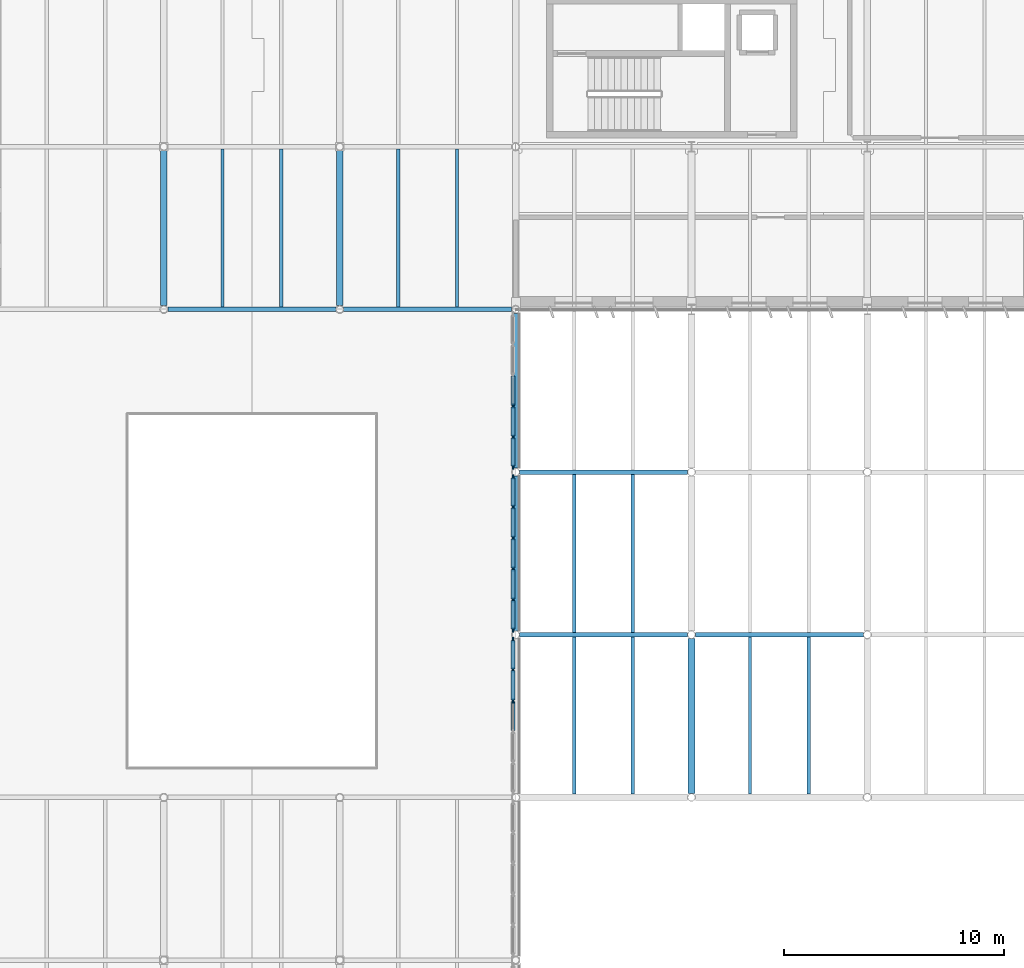
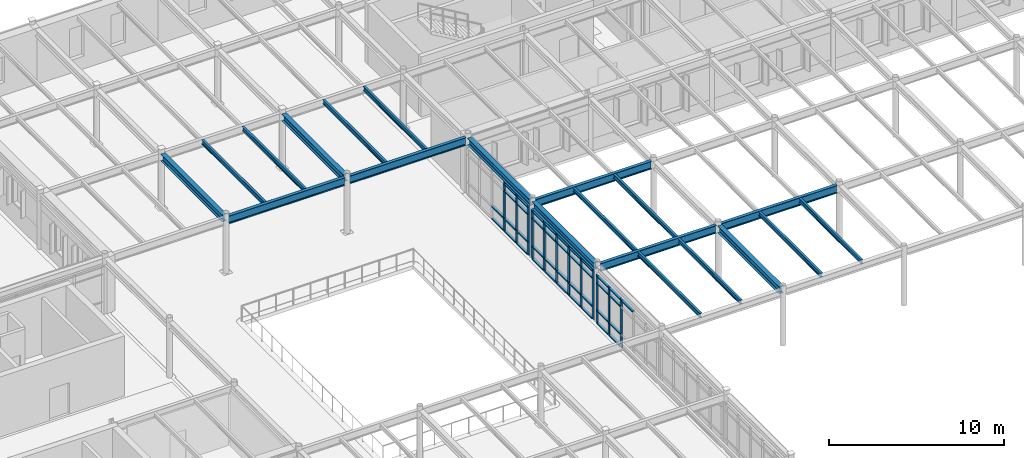
# One storey, part 23 of 63: 51 members, 20 beams, 3 elements without a shape of their own.
"""IFC4 building model written with IfcOpenShell, lengths in metres."""

from ifc_helpers import new_model, si_unit, direction, frame, origin, origin_2d, place, context, subcontext, project, spatial, rectangle, i_section, extrude, material, layer, layer_set, material_profile, profile_set, type_object, element, aggregate, save


model = new_model("IFC4")

# Units and contexts
model_context = context("Model", 3, precision=1e-05, world=origin(), true_north=direction((0.0, 1.0)))
body_context = subcontext(model_context, "Body", "Model", "MODEL_VIEW")
ifc_project = project(units=[si_unit("LENGTHUNIT", "METRE"), si_unit("AREAUNIT", "SQUARE_METRE"), si_unit("VOLUMEUNIT", "CUBIC_METRE"), si_unit("PLANEANGLEUNIT", "RADIAN"), si_unit("MASSUNIT", "GRAM", prefix="KILO")], contexts=[model_context])

# Site, building, storey
site_placement = place(None, origin())
site = spatial("IfcSite", under=ifc_project, at=site_placement, CompositionType="ELEMENT")
building_placement = place(site_placement, origin())
building = spatial("IfcBuilding", under=site, at=building_placement, Name="Valkorina Park Police Headquarters", CompositionType="ELEMENT")
storey_placement = place(building_placement, frame((0.0, 0.0, 9.89990234375)))
storey = spatial("IfcBuildingStorey", under=building, at=storey_placement, Name="L03", CompositionType="ELEMENT", Elevation=9.89990234375)

# Beams
ifc_material_1 = material(Name="Steel S355", Category="steel")
ifc_material_profile_1 = material_profile(ifc_material_1, i_section(OverallWidth=0.300048828125, OverallDepth=0.489990234375, WebThickness=0.011962890625, FlangeThickness=0.02294921875, FilletRadius=0.027099609375, at=origin_2d()), Name="HEA 500")
ifc_profile_set_1 = profile_set([ifc_material_profile_1], Name="Steel S355")
beam_type_1 = type_object("IfcBeamType", Name="BM-S355-HEA500-BM", PredefinedType="BEAM", material=ifc_profile_set_1)
for number, where, z_axis, x_axis, name in (
    (1, (64.800048828125, 59.377685546875, 3.675048828125), (0.0, 1.0, 0.0), (-1.0, 0.0, 0.0), "L03 Framing Beam 2017"),
    (2, (72.800048828125, 59.377685546875, 3.675048828125), (0.0, 1.0, 0.0), (-1.0, 0.0, 0.0), "L03 Framing Beam 2032"),
    (3, (80.800048828125, 44.577880859375, 3.710205078125), (0.0, 1.0, 0.0), (-1.0, 0.0, 0.0), "L03 Framing Beam 2046"),
    (4, (80.800048828125, 51.977783203125, 3.675048828125), (0.0, 1.0, 0.0), (-1.0, 0.0, 0.0), "L03 Framing Beam 2049"),
    (5, (88.800048828125, 37.177734375, 3.710205078125), (0.0, 1.0, 0.0), (-1.0, 0.0, 0.0), "L03 Framing Beam 2059"),
):
    element("IfcBeam", number, at=place(storey_placement, frame(where, z_axis=z_axis, x_axis=x_axis)), inside=storey, type_object=beam_type_1, Name=name, PredefinedType="BEAM", context=body_context, shape_type="SweptSolid", body=[
        extrude(i_section(OverallWidth=0.300048828125, OverallDepth=0.489990234375, WebThickness=0.011962890625, FlangeThickness=0.02294921875, FilletRadius=0.027099609375, at=origin_2d()), origin(), (0.0, 0.0, 1.0), 7.04443359375),
    ])
ifc_material_profile_2 = material_profile(ifc_material_1, i_section(OverallWidth=0.14990234375, OverallDepth=0.300048828125, WebThickness=0.007080078125, FlangeThickness=0.0107421875, FilletRadius=0.014892578125, at=origin_2d()), Name="IPE 300")
ifc_profile_set_2 = profile_set([ifc_material_profile_2], Name="Steel S355")
beam_type_2 = type_object("IfcBeamType", Name="BM-S355-IPE300-JST", PredefinedType="JOIST", material=ifc_profile_set_2)
for number, where, z_axis, x_axis, name in (
    (6, (67.466796875, 59.304931640625, 3.77001953125), (0.0, 1.0, 0.0), (-1.0, 0.0, 0.0), "L03 Framing Beam 2018"),
    (7, (70.13330078125, 59.304931640625, 3.77001953125), (0.0, 1.0, 0.0), (-1.0, 0.0, 0.0), "L03 Framing Beam 2019"),
    (8, (75.466796875, 59.304931640625, 3.77001953125), (0.0, 1.0, 0.0), (-1.0, 0.0, 0.0), "L03 Framing Beam 2033"),
    (9, (78.13330078125, 59.304931640625, 3.77001953125), (0.0, 1.0, 0.0), (-1.0, 0.0, 0.0), "L03 Framing Beam 2034"),
):
    element("IfcBeam", number, at=place(storey_placement, frame(where, z_axis=z_axis, x_axis=x_axis)), inside=storey, type_object=beam_type_2, Name=name, PredefinedType="JOIST", context=body_context, shape_type="SweptSolid", body=[
        extrude(i_section(OverallWidth=0.14990234375, OverallDepth=0.300048828125, WebThickness=0.007080078125, FlangeThickness=0.0107421875, FilletRadius=0.014892578125, at=origin_2d()), origin(), (0.0, 0.0, 1.0), 7.190185546875),
    ])
for number, where, z_axis, x_axis, name in (
    (10, (83.466796875, 37.14990234375, 3.80517578125), (0.0, 1.0, 0.0), (-1.0, 0.0, 0.0), "L03 Framing Beam 2044"),
    (11, (86.13330078125, 37.14990234375, 3.80517578125), (0.0, 1.0, 0.0), (-1.0, 0.0, 0.0), "L03 Framing Beam 2045"),
):
    element("IfcBeam", number, at=place(storey_placement, frame(where, z_axis=z_axis, x_axis=x_axis)), inside=storey, type_object=beam_type_2, Name=name, PredefinedType="JOIST", context=body_context, shape_type="SweptSolid", body=[
        extrude(i_section(OverallWidth=0.14990234375, OverallDepth=0.300048828125, WebThickness=0.007080078125, FlangeThickness=0.0107421875, FilletRadius=0.014892578125, at=origin_2d()), origin(), (0.0, 0.0, 1.0), 7.14501953125),
    ])
for number, where, z_axis, x_axis, name in (
    (12, (83.466796875, 44.5048828125, 3.80517578125), (0.0, 1.0, 0.0), (-1.0, 0.0, 0.0), "L03 Framing Beam 2047"),
    (13, (86.13330078125, 44.5048828125, 3.80517578125), (0.0, 1.0, 0.0), (-1.0, 0.0, 0.0), "L03 Framing Beam 2048"),
):
    element("IfcBeam", number, at=place(storey_placement, frame(where, z_axis=z_axis, x_axis=x_axis)), inside=storey, type_object=beam_type_2, Name=name, PredefinedType="JOIST", context=body_context, shape_type="SweptSolid", body=[
        extrude(i_section(OverallWidth=0.14990234375, OverallDepth=0.300048828125, WebThickness=0.007080078125, FlangeThickness=0.0107421875, FilletRadius=0.014892578125, at=origin_2d()), origin(), (0.0, 0.0, 1.0), 7.190185546875),
    ])
for number, where, z_axis, x_axis, name in (
    (14, (91.466796875, 37.14990234375, 3.80517578125), (0.0, 1.0, 0.0), (-1.0, 0.0, 0.0), "L03 Framing Beam 2060"),
    (15, (94.13330078125, 37.14990234375, 3.80517578125), (0.0, 1.0, 0.0), (-1.0, 0.0, 0.0), "L03 Framing Beam 2061"),
):
    element("IfcBeam", number, at=place(storey_placement, frame(where, z_axis=z_axis, x_axis=x_axis)), inside=storey, type_object=beam_type_2, Name=name, PredefinedType="JOIST", context=body_context, shape_type="SweptSolid", body=[
        extrude(i_section(OverallWidth=0.14990234375, OverallDepth=0.300048828125, WebThickness=0.007080078125, FlangeThickness=0.0107421875, FilletRadius=0.014892578125, at=origin_2d()), origin(), (0.0, 0.0, 1.0), 7.14501953125),
    ])
ifc_material_profile_3 = material_profile(ifc_material_1, i_section(OverallWidth=0.2099609375, OverallDepth=0.550048828125, WebThickness=0.010986328125, FlangeThickness=0.01708984375, FilletRadius=0.02392578125, at=origin_2d()), Name="IPE 550")
ifc_profile_set_3 = profile_set([ifc_material_profile_3], Name="Steel S355")
beam_type_3 = type_object("IfcBeamType", Name="BM-S355-IPE550-BM", PredefinedType="BEAM", material=ifc_profile_set_3)
for number, where, z_axis, x_axis, name in (
    (16, (80.977783203125, 44.39990234375, 3.68017578125), (1.0, 0.0, 0.0), (0.0, 1.0, 0.0), "L03 Framing Beam 1877"),
    (17, (88.977783203125, 44.39990234375, 3.68017578125), (1.0, 0.0, 0.0), (0.0, 1.0, 0.0), "L03 Framing Beam 1878"),
    (18, (80.977783203125, 51.800048828125, 3.68017578125), (1.0, 0.0, 0.0), (0.0, 1.0, 0.0), "L03 Framing Beam 1889"),
    (19, (64.977783203125, 59.199951171875, 3.64501953125), (1.0, 0.0, 0.0), (0.0, 1.0, 0.0), "L03 Framing Beam 1905"),
    (20, (72.977783203125, 59.199951171875, 3.64501953125), (1.0, 0.0, 0.0), (0.0, 1.0, 0.0), "L03 Framing Beam 1906"),
):
    element("IfcBeam", number, at=place(storey_placement, frame(where, z_axis=z_axis, x_axis=x_axis)), inside=storey, type_object=beam_type_3, Name=name, PredefinedType="BEAM", context=body_context, shape_type="SweptSolid", body=[
        extrude(i_section(OverallWidth=0.2099609375, OverallDepth=0.550048828125, WebThickness=0.010986328125, FlangeThickness=0.01708984375, FilletRadius=0.02392578125, at=origin_2d()), origin(), (0.0, 0.0, 1.0), 7.64453125),
    ])

# Curtain wall, members
ifc_material_2 = material(Name="Thermally broken aluminium AW-6060", Category="aluminium")
ifc_layer_1 = layer(ifc_material_2, 0.18994140625)
ifc_layer_set_1 = layer_set([ifc_layer_1], Name="Thermally broken aluminium AW-6060")
curtain_wall_type_1 = type_object("IfcCurtainWallType", Name="CW-V4-7020x3360", PredefinedType="NOTDEFINED", material=ifc_layer_set_1)
curtain_wall_1_placement = place(storey_placement, origin())
curtain_wall_1 = element("IfcCurtainWall", 21, at=curtain_wall_1_placement, inside=storey, type_object=curtain_wall_type_1, Name="L03 Unitised Curtain Wall 020", PredefinedType="NOTDEFINED")
ifc_material_profile_4 = material_profile(ifc_material_2, rectangle(XDim=0.080078125, YDim=0.219970703125, at=origin_2d()), Name="CWM-03 80x220")
ifc_profile_set_4 = profile_set([ifc_material_profile_4], Name="Thermally broken aluminium AW-6060")
member_type_1 = type_object("IfcMemberType", Name="CWM-80x220", PredefinedType="MULLION", material=ifc_profile_set_4)
member_1_placement = place(storey_placement, frame((80.679931640625, 54.797607421875, 0.0), z_axis=(0.0, 0.0, 1.0), x_axis=(1.0, 0.0, 0.0)))
member_1 = element("IfcMember", 22, at=member_1_placement, type_object=member_type_1, Name="CW-V4-702-336 mullion 4", PredefinedType="MULLION", context=body_context, shape_type="SweptSolid", body=[
    extrude(rectangle(XDim=0.080078125, YDim=0.219970703125, at=origin_2d()), origin(), (0.0, 0.0, 1.0), 3.360107421875),
])
member_2_placement = place(storey_placement, frame((80.679931640625, 53.392578125, 0.0), z_axis=(0.0, 0.0, 1.0), x_axis=(1.0, 0.0, 0.0)))
member_2 = element("IfcMember", 23, at=member_2_placement, type_object=member_type_1, Name="CW-V4-702-336 mullion 5", PredefinedType="MULLION", context=body_context, shape_type="SweptSolid", body=[
    extrude(rectangle(XDim=0.080078125, YDim=0.219970703125, at=origin_2d()), origin(), (0.0, 0.0, 1.0), 3.360107421875),
])
member_3_placement = place(storey_placement, frame((80.679931640625, 52.02783203125, 0.0), z_axis=(0.0, 0.0, 1.0), x_axis=(1.0, 0.0, 0.0)))
member_3 = element("IfcMember", 24, at=member_3_placement, type_object=member_type_1, Name="CW-V4-702-336 mullion 6", PredefinedType="MULLION", context=body_context, shape_type="SweptSolid", body=[
    extrude(rectangle(XDim=0.080078125, YDim=0.219970703125, at=origin_2d()), origin(), (0.0, 0.0, 1.0), 3.360107421875),
])

ifc_layer_2 = layer(ifc_material_2, 0.18994140625)
ifc_layer_set_2 = layer_set([ifc_layer_2], Name="Thermally broken aluminium AW-6060")
curtain_wall_type_2 = type_object("IfcCurtainWallType", Name="CW-V4-7020x3400", PredefinedType="NOTDEFINED", material=ifc_layer_set_2)
curtain_wall_2_placement = place(storey_placement, origin())
curtain_wall_2 = element("IfcCurtainWall", 25, at=curtain_wall_2_placement, inside=storey, type_object=curtain_wall_type_2, Name="L03 Unitised Curtain Wall 021", PredefinedType="NOTDEFINED")
member_4_placement = place(storey_placement, frame((80.679931640625, 51.572265625, 0.0), z_axis=(0.0, 0.0, 1.0), x_axis=(1.0, 0.0, 0.0)))
member_4 = element("IfcMember", 26, at=member_4_placement, type_object=member_type_1, Name="CW-V4-702-340 mullion 1", PredefinedType="MULLION", context=body_context, shape_type="SweptSolid", body=[
    extrude(rectangle(XDim=0.080078125, YDim=0.219970703125, at=origin_2d()), origin(), (0.0, 0.0, 1.0), 3.39501953125),
])
member_5_placement = place(storey_placement, frame((80.679931640625, 50.207275390625, 0.0), z_axis=(0.0, 0.0, 1.0), x_axis=(1.0, 0.0, 0.0)))
member_5 = element("IfcMember", 27, at=member_5_placement, type_object=member_type_1, Name="CW-V4-702-340 mullion 2", PredefinedType="MULLION", context=body_context, shape_type="SweptSolid", body=[
    extrude(rectangle(XDim=0.080078125, YDim=0.219970703125, at=origin_2d()), origin(), (0.0, 0.0, 1.0), 3.39501953125),
])
member_6_placement = place(storey_placement, frame((80.679931640625, 48.802490234375, 0.0), z_axis=(0.0, 0.0, 1.0), x_axis=(1.0, 0.0, 0.0)))
member_6 = element("IfcMember", 28, at=member_6_placement, type_object=member_type_1, Name="CW-V4-702-340 mullion 3", PredefinedType="MULLION", context=body_context, shape_type="SweptSolid", body=[
    extrude(rectangle(XDim=0.080078125, YDim=0.219970703125, at=origin_2d()), origin(), (0.0, 0.0, 1.0), 3.39501953125),
])
member_7_placement = place(storey_placement, frame((80.679931640625, 47.3974609375, 0.0), z_axis=(0.0, 0.0, 1.0), x_axis=(1.0, 0.0, 0.0)))
member_7 = element("IfcMember", 29, at=member_7_placement, type_object=member_type_1, Name="CW-V4-702-340 mullion 4", PredefinedType="MULLION", context=body_context, shape_type="SweptSolid", body=[
    extrude(rectangle(XDim=0.080078125, YDim=0.219970703125, at=origin_2d()), origin(), (0.0, 0.0, 1.0), 3.39501953125),
])
member_8_placement = place(storey_placement, frame((80.679931640625, 45.99267578125, 0.0), z_axis=(0.0, 0.0, 1.0), x_axis=(1.0, 0.0, 0.0)))
member_8 = element("IfcMember", 30, at=member_8_placement, type_object=member_type_1, Name="CW-V4-702-340 mullion 5", PredefinedType="MULLION", context=body_context, shape_type="SweptSolid", body=[
    extrude(rectangle(XDim=0.080078125, YDim=0.219970703125, at=origin_2d()), origin(), (0.0, 0.0, 1.0), 3.39501953125),
])
member_9_placement = place(storey_placement, frame((80.679931640625, 44.627685546875, 0.0), z_axis=(0.0, 0.0, 1.0), x_axis=(1.0, 0.0, 0.0)))
member_9 = element("IfcMember", 31, at=member_9_placement, type_object=member_type_1, Name="CW-V4-702-340 mullion 6", PredefinedType="MULLION", context=body_context, shape_type="SweptSolid", body=[
    extrude(rectangle(XDim=0.080078125, YDim=0.219970703125, at=origin_2d()), origin(), (0.0, 0.0, 1.0), 3.39501953125),
])

curtain_wall_3_placement = place(storey_placement, origin())
curtain_wall_3 = element("IfcCurtainWall", 32, at=curtain_wall_3_placement, inside=storey, type_object=curtain_wall_type_1, Name="L03 Unitised Curtain Wall 022", PredefinedType="NOTDEFINED")
member_10_placement = place(storey_placement, frame((80.679931640625, 44.172119140625, 0.0), z_axis=(0.0, 0.0, 1.0), x_axis=(1.0, 0.0, 0.0)))
member_10 = element("IfcMember", 33, at=member_10_placement, type_object=member_type_1, Name="CW-V4-702-336 mullion 1", PredefinedType="MULLION", context=body_context, shape_type="SweptSolid", body=[
    extrude(rectangle(XDim=0.080078125, YDim=0.219970703125, at=origin_2d()), origin(), (0.0, 0.0, 1.0), 3.360107421875),
])
member_11_placement = place(storey_placement, frame((80.679931640625, 42.807373046875, 0.0), z_axis=(0.0, 0.0, 1.0), x_axis=(1.0, 0.0, 0.0)))
member_11 = element("IfcMember", 34, at=member_11_placement, type_object=member_type_1, Name="CW-V4-702-336 mullion 2", PredefinedType="MULLION", context=body_context, shape_type="SweptSolid", body=[
    extrude(rectangle(XDim=0.080078125, YDim=0.219970703125, at=origin_2d()), origin(), (0.0, 0.0, 1.0), 3.360107421875),
])
member_12_placement = place(storey_placement, frame((80.679931640625, 41.40234375, 0.0), z_axis=(0.0, 0.0, 1.0), x_axis=(1.0, 0.0, 0.0)))
member_12 = element("IfcMember", 35, at=member_12_placement, type_object=member_type_1, Name="CW-V4-702-336 mullion 3", PredefinedType="MULLION", context=body_context, shape_type="SweptSolid", body=[
    extrude(rectangle(XDim=0.080078125, YDim=0.219970703125, at=origin_2d()), origin(), (0.0, 0.0, 1.0), 3.360107421875),
])

# Member
ifc_material_profile_5 = material_profile(ifc_material_2, rectangle(XDim=0.179931640625, YDim=0.080078125, at=origin_2d()), Name="CWT-03 180x80")
ifc_profile_set_5 = profile_set([ifc_material_profile_5], Name="Thermally broken aluminium AW-6060")
member_type_2 = type_object("IfcMemberType", Name="CWT-180x80", PredefinedType="USERDEFINED", material=ifc_profile_set_5)
member_13_placement = place(storey_placement, frame((80.679931640625, 56.162353515625, 0.0400390625), z_axis=(0.0, -1.0, 0.0), x_axis=(1.0, 0.0, 0.0)))
member_13 = element("IfcMember", 36, at=member_13_placement, type_object=member_type_2, Name="CW-V4-702-336 transom 3.1", ObjectType="TRANSOM", PredefinedType="USERDEFINED", context=body_context, shape_type="SweptSolid", body=[
    extrude(rectangle(XDim=0.179931640625, YDim=0.080078125, at=origin_2d()), origin(), (0.0, 0.0, 1.0), 1.32470703125),
])

member_14_placement = place(storey_placement, frame((80.679931640625, 56.162353515625, 0.900146484375), z_axis=(0.0, -1.0, 0.0), x_axis=(1.0, 0.0, 0.0)))
member_14 = element("IfcMember", 37, at=member_14_placement, type_object=member_type_2, Name="CW-V4-702-336 transom 3.2", ObjectType="TRANSOM", PredefinedType="USERDEFINED", context=body_context, shape_type="SweptSolid", body=[
    extrude(rectangle(XDim=0.179931640625, YDim=0.080078125, at=origin_2d()), origin(), (0.0, 0.0, 1.0), 1.32470703125),
])

member_15_placement = place(storey_placement, frame((80.679931640625, 54.757568359375, 0.0400390625), z_axis=(0.0, -1.0, 0.0), x_axis=(1.0, 0.0, 0.0)))
member_15 = element("IfcMember", 38, at=member_15_placement, type_object=member_type_2, Name="CW-V4-702-336 transom 4.1", ObjectType="TRANSOM", PredefinedType="USERDEFINED", context=body_context, shape_type="SweptSolid", body=[
    extrude(rectangle(XDim=0.179931640625, YDim=0.080078125, at=origin_2d()), origin(), (0.0, 0.0, 1.0), 1.324951171875),
])

member_16_placement = place(storey_placement, frame((80.679931640625, 54.757568359375, 0.900146484375), z_axis=(0.0, -1.0, 0.0), x_axis=(1.0, 0.0, 0.0)))
member_16 = element("IfcMember", 39, at=member_16_placement, type_object=member_type_2, Name="CW-V4-702-336 transom 4.2", ObjectType="TRANSOM", PredefinedType="USERDEFINED", context=body_context, shape_type="SweptSolid", body=[
    extrude(rectangle(XDim=0.179931640625, YDim=0.080078125, at=origin_2d()), origin(), (0.0, 0.0, 1.0), 1.324951171875),
])

member_17_placement = place(storey_placement, frame((80.679931640625, 54.757568359375, 2.840087890625), z_axis=(0.0, -1.0, 0.0), x_axis=(1.0, 0.0, 0.0)))
member_17 = element("IfcMember", 40, at=member_17_placement, type_object=member_type_2, Name="CW-V4-702-336 transom 4.3", ObjectType="TRANSOM", PredefinedType="USERDEFINED", context=body_context, shape_type="SweptSolid", body=[
    extrude(rectangle(XDim=0.179931640625, YDim=0.080078125, at=origin_2d()), origin(), (0.0, 0.0, 1.0), 1.324951171875),
])

member_18_placement = place(storey_placement, frame((80.679931640625, 54.757568359375, 3.320068359375), z_axis=(0.0, -1.0, 0.0), x_axis=(1.0, 0.0, 0.0)))
member_18 = element("IfcMember", 41, at=member_18_placement, type_object=member_type_2, Name="CW-V4-702-336 transom 4.4", ObjectType="TRANSOM", PredefinedType="USERDEFINED", context=body_context, shape_type="SweptSolid", body=[
    extrude(rectangle(XDim=0.179931640625, YDim=0.080078125, at=origin_2d()), origin(), (0.0, 0.0, 1.0), 1.324951171875),
])

member_19_placement = place(storey_placement, frame((80.679931640625, 53.352783203125, 0.0400390625), z_axis=(0.0, -1.0, 0.0), x_axis=(1.0, 0.0, 0.0)))
member_19 = element("IfcMember", 42, at=member_19_placement, type_object=member_type_2, Name="CW-V4-702-336 transom 5.1", ObjectType="TRANSOM", PredefinedType="USERDEFINED", context=body_context, shape_type="SweptSolid", body=[
    extrude(rectangle(XDim=0.179931640625, YDim=0.080078125, at=origin_2d()), origin(), (0.0, 0.0, 1.0), 1.284912109375),
])

member_20_placement = place(storey_placement, frame((80.679931640625, 53.352783203125, 0.900146484375), z_axis=(0.0, -1.0, 0.0), x_axis=(1.0, 0.0, 0.0)))
member_20 = element("IfcMember", 43, at=member_20_placement, type_object=member_type_2, Name="CW-V4-702-336 transom 5.2", ObjectType="TRANSOM", PredefinedType="USERDEFINED", context=body_context, shape_type="SweptSolid", body=[
    extrude(rectangle(XDim=0.179931640625, YDim=0.080078125, at=origin_2d()), origin(), (0.0, 0.0, 1.0), 1.284912109375),
])

member_21_placement = place(storey_placement, frame((80.679931640625, 53.352783203125, 2.840087890625), z_axis=(0.0, -1.0, 0.0), x_axis=(1.0, 0.0, 0.0)))
member_21 = element("IfcMember", 44, at=member_21_placement, type_object=member_type_2, Name="CW-V4-702-336 transom 5.3", ObjectType="TRANSOM", PredefinedType="USERDEFINED", context=body_context, shape_type="SweptSolid", body=[
    extrude(rectangle(XDim=0.179931640625, YDim=0.080078125, at=origin_2d()), origin(), (0.0, 0.0, 1.0), 1.284912109375),
])

member_22_placement = place(storey_placement, frame((80.679931640625, 53.352783203125, 3.320068359375), z_axis=(0.0, -1.0, 0.0), x_axis=(1.0, 0.0, 0.0)))
member_22 = element("IfcMember", 45, at=member_22_placement, type_object=member_type_2, Name="CW-V4-702-336 transom 5.4", ObjectType="TRANSOM", PredefinedType="USERDEFINED", context=body_context, shape_type="SweptSolid", body=[
    extrude(rectangle(XDim=0.179931640625, YDim=0.080078125, at=origin_2d()), origin(), (0.0, 0.0, 1.0), 1.284912109375),
])

aggregate(curtain_wall_1, [member_1, member_2, member_3, member_13, member_14, member_15, member_16, member_17, member_18, member_19, member_20, member_21, member_22])

member_23_placement = place(storey_placement, frame((80.679931640625, 51.5322265625, 0.0400390625), z_axis=(0.0, -1.0, 0.0), x_axis=(1.0, 0.0, 0.0)))
member_23 = element("IfcMember", 46, at=member_23_placement, type_object=member_type_2, Name="CW-V4-702-340 transom 1.1", ObjectType="TRANSOM", PredefinedType="USERDEFINED", context=body_context, shape_type="SweptSolid", body=[
    extrude(rectangle(XDim=0.179931640625, YDim=0.080078125, at=origin_2d()), origin(), (0.0, 0.0, 1.0), 1.284912109375),
])

member_24_placement = place(storey_placement, frame((80.679931640625, 51.5322265625, 0.900146484375), z_axis=(0.0, -1.0, 0.0), x_axis=(1.0, 0.0, 0.0)))
member_24 = element("IfcMember", 47, at=member_24_placement, type_object=member_type_2, Name="CW-V4-702-340 transom 1.2", ObjectType="TRANSOM", PredefinedType="USERDEFINED", context=body_context, shape_type="SweptSolid", body=[
    extrude(rectangle(XDim=0.179931640625, YDim=0.080078125, at=origin_2d()), origin(), (0.0, 0.0, 1.0), 1.284912109375),
])

member_25_placement = place(storey_placement, frame((80.679931640625, 51.5322265625, 2.875), z_axis=(0.0, -1.0, 0.0), x_axis=(1.0, 0.0, 0.0)))
member_25 = element("IfcMember", 48, at=member_25_placement, type_object=member_type_2, Name="CW-V4-702-340 transom 1.3", ObjectType="TRANSOM", PredefinedType="USERDEFINED", context=body_context, shape_type="SweptSolid", body=[
    extrude(rectangle(XDim=0.179931640625, YDim=0.080078125, at=origin_2d()), origin(), (0.0, 0.0, 1.0), 1.284912109375),
])

member_26_placement = place(storey_placement, frame((80.679931640625, 51.5322265625, 3.35498046875), z_axis=(0.0, -1.0, 0.0), x_axis=(1.0, 0.0, 0.0)))
member_26 = element("IfcMember", 49, at=member_26_placement, type_object=member_type_2, Name="CW-V4-702-340 transom 1.4", ObjectType="TRANSOM", PredefinedType="USERDEFINED", context=body_context, shape_type="SweptSolid", body=[
    extrude(rectangle(XDim=0.179931640625, YDim=0.080078125, at=origin_2d()), origin(), (0.0, 0.0, 1.0), 1.284912109375),
])

member_27_placement = place(storey_placement, frame((80.679931640625, 50.167236328125, 0.0400390625), z_axis=(0.0, -1.0, 0.0), x_axis=(1.0, 0.0, 0.0)))
member_27 = element("IfcMember", 50, at=member_27_placement, type_object=member_type_2, Name="CW-V4-702-340 transom 2.1", ObjectType="TRANSOM", PredefinedType="USERDEFINED", context=body_context, shape_type="SweptSolid", body=[
    extrude(rectangle(XDim=0.179931640625, YDim=0.080078125, at=origin_2d()), origin(), (0.0, 0.0, 1.0), 1.32470703125),
])

member_28_placement = place(storey_placement, frame((80.679931640625, 50.167236328125, 0.900146484375), z_axis=(0.0, -1.0, 0.0), x_axis=(1.0, 0.0, 0.0)))
member_28 = element("IfcMember", 51, at=member_28_placement, type_object=member_type_2, Name="CW-V4-702-340 transom 2.2", ObjectType="TRANSOM", PredefinedType="USERDEFINED", context=body_context, shape_type="SweptSolid", body=[
    extrude(rectangle(XDim=0.179931640625, YDim=0.080078125, at=origin_2d()), origin(), (0.0, 0.0, 1.0), 1.32470703125),
])

member_29_placement = place(storey_placement, frame((80.679931640625, 50.167236328125, 2.875), z_axis=(0.0, -1.0, 0.0), x_axis=(1.0, 0.0, 0.0)))
member_29 = element("IfcMember", 52, at=member_29_placement, type_object=member_type_2, Name="CW-V4-702-340 transom 2.3", ObjectType="TRANSOM", PredefinedType="USERDEFINED", context=body_context, shape_type="SweptSolid", body=[
    extrude(rectangle(XDim=0.179931640625, YDim=0.080078125, at=origin_2d()), origin(), (0.0, 0.0, 1.0), 1.32470703125),
])

member_30_placement = place(storey_placement, frame((80.679931640625, 50.167236328125, 3.35498046875), z_axis=(0.0, -1.0, 0.0), x_axis=(1.0, 0.0, 0.0)))
member_30 = element("IfcMember", 53, at=member_30_placement, type_object=member_type_2, Name="CW-V4-702-340 transom 2.4", ObjectType="TRANSOM", PredefinedType="USERDEFINED", context=body_context, shape_type="SweptSolid", body=[
    extrude(rectangle(XDim=0.179931640625, YDim=0.080078125, at=origin_2d()), origin(), (0.0, 0.0, 1.0), 1.32470703125),
])

member_31_placement = place(storey_placement, frame((80.679931640625, 48.762451171875, 0.0400390625), z_axis=(0.0, -1.0, 0.0), x_axis=(1.0, 0.0, 0.0)))
member_31 = element("IfcMember", 54, at=member_31_placement, type_object=member_type_2, Name="CW-V4-702-340 transom 3.1", ObjectType="TRANSOM", PredefinedType="USERDEFINED", context=body_context, shape_type="SweptSolid", body=[
    extrude(rectangle(XDim=0.179931640625, YDim=0.080078125, at=origin_2d()), origin(), (0.0, 0.0, 1.0), 1.324951171875),
])

member_32_placement = place(storey_placement, frame((80.679931640625, 48.762451171875, 0.900146484375), z_axis=(0.0, -1.0, 0.0), x_axis=(1.0, 0.0, 0.0)))
member_32 = element("IfcMember", 55, at=member_32_placement, type_object=member_type_2, Name="CW-V4-702-340 transom 3.2", ObjectType="TRANSOM", PredefinedType="USERDEFINED", context=body_context, shape_type="SweptSolid", body=[
    extrude(rectangle(XDim=0.179931640625, YDim=0.080078125, at=origin_2d()), origin(), (0.0, 0.0, 1.0), 1.324951171875),
])

member_33_placement = place(storey_placement, frame((80.679931640625, 48.762451171875, 2.875), z_axis=(0.0, -1.0, 0.0), x_axis=(1.0, 0.0, 0.0)))
member_33 = element("IfcMember", 56, at=member_33_placement, type_object=member_type_2, Name="CW-V4-702-340 transom 3.3", ObjectType="TRANSOM", PredefinedType="USERDEFINED", context=body_context, shape_type="SweptSolid", body=[
    extrude(rectangle(XDim=0.179931640625, YDim=0.080078125, at=origin_2d()), origin(), (0.0, 0.0, 1.0), 1.324951171875),
])

member_34_placement = place(storey_placement, frame((80.679931640625, 48.762451171875, 3.35498046875), z_axis=(0.0, -1.0, 0.0), x_axis=(1.0, 0.0, 0.0)))
member_34 = element("IfcMember", 57, at=member_34_placement, type_object=member_type_2, Name="CW-V4-702-340 transom 3.4", ObjectType="TRANSOM", PredefinedType="USERDEFINED", context=body_context, shape_type="SweptSolid", body=[
    extrude(rectangle(XDim=0.179931640625, YDim=0.080078125, at=origin_2d()), origin(), (0.0, 0.0, 1.0), 1.324951171875),
])

member_35_placement = place(storey_placement, frame((80.679931640625, 47.357666015625, 0.0400390625), z_axis=(0.0, -1.0, 0.0), x_axis=(1.0, 0.0, 0.0)))
member_35 = element("IfcMember", 58, at=member_35_placement, type_object=member_type_2, Name="CW-V4-702-340 transom 4.1", ObjectType="TRANSOM", PredefinedType="USERDEFINED", context=body_context, shape_type="SweptSolid", body=[
    extrude(rectangle(XDim=0.179931640625, YDim=0.080078125, at=origin_2d()), origin(), (0.0, 0.0, 1.0), 1.324951171875),
])

member_36_placement = place(storey_placement, frame((80.679931640625, 47.357666015625, 0.900146484375), z_axis=(0.0, -1.0, 0.0), x_axis=(1.0, 0.0, 0.0)))
member_36 = element("IfcMember", 59, at=member_36_placement, type_object=member_type_2, Name="CW-V4-702-340 transom 4.2", ObjectType="TRANSOM", PredefinedType="USERDEFINED", context=body_context, shape_type="SweptSolid", body=[
    extrude(rectangle(XDim=0.179931640625, YDim=0.080078125, at=origin_2d()), origin(), (0.0, 0.0, 1.0), 1.324951171875),
])

member_37_placement = place(storey_placement, frame((80.679931640625, 47.357666015625, 2.875), z_axis=(0.0, -1.0, 0.0), x_axis=(1.0, 0.0, 0.0)))
member_37 = element("IfcMember", 60, at=member_37_placement, type_object=member_type_2, Name="CW-V4-702-340 transom 4.3", ObjectType="TRANSOM", PredefinedType="USERDEFINED", context=body_context, shape_type="SweptSolid", body=[
    extrude(rectangle(XDim=0.179931640625, YDim=0.080078125, at=origin_2d()), origin(), (0.0, 0.0, 1.0), 1.324951171875),
])

member_38_placement = place(storey_placement, frame((80.679931640625, 47.357666015625, 3.35498046875), z_axis=(0.0, -1.0, 0.0), x_axis=(1.0, 0.0, 0.0)))
member_38 = element("IfcMember", 61, at=member_38_placement, type_object=member_type_2, Name="CW-V4-702-340 transom 4.4", ObjectType="TRANSOM", PredefinedType="USERDEFINED", context=body_context, shape_type="SweptSolid", body=[
    extrude(rectangle(XDim=0.179931640625, YDim=0.080078125, at=origin_2d()), origin(), (0.0, 0.0, 1.0), 1.324951171875),
])

member_39_placement = place(storey_placement, frame((80.679931640625, 45.95263671875, 0.0400390625), z_axis=(0.0, -1.0, 0.0), x_axis=(1.0, 0.0, 0.0)))
member_39 = element("IfcMember", 62, at=member_39_placement, type_object=member_type_2, Name="CW-V4-702-340 transom 5.1", ObjectType="TRANSOM", PredefinedType="USERDEFINED", context=body_context, shape_type="SweptSolid", body=[
    extrude(rectangle(XDim=0.179931640625, YDim=0.080078125, at=origin_2d()), origin(), (0.0, 0.0, 1.0), 1.284912109375),
])

member_40_placement = place(storey_placement, frame((80.679931640625, 45.95263671875, 0.900146484375), z_axis=(0.0, -1.0, 0.0), x_axis=(1.0, 0.0, 0.0)))
member_40 = element("IfcMember", 63, at=member_40_placement, type_object=member_type_2, Name="CW-V4-702-340 transom 5.2", ObjectType="TRANSOM", PredefinedType="USERDEFINED", context=body_context, shape_type="SweptSolid", body=[
    extrude(rectangle(XDim=0.179931640625, YDim=0.080078125, at=origin_2d()), origin(), (0.0, 0.0, 1.0), 1.284912109375),
])

member_41_placement = place(storey_placement, frame((80.679931640625, 45.95263671875, 2.875), z_axis=(0.0, -1.0, 0.0), x_axis=(1.0, 0.0, 0.0)))
member_41 = element("IfcMember", 64, at=member_41_placement, type_object=member_type_2, Name="CW-V4-702-340 transom 5.3", ObjectType="TRANSOM", PredefinedType="USERDEFINED", context=body_context, shape_type="SweptSolid", body=[
    extrude(rectangle(XDim=0.179931640625, YDim=0.080078125, at=origin_2d()), origin(), (0.0, 0.0, 1.0), 1.284912109375),
])

member_42_placement = place(storey_placement, frame((80.679931640625, 45.95263671875, 3.35498046875), z_axis=(0.0, -1.0, 0.0), x_axis=(1.0, 0.0, 0.0)))
member_42 = element("IfcMember", 65, at=member_42_placement, type_object=member_type_2, Name="CW-V4-702-340 transom 5.4", ObjectType="TRANSOM", PredefinedType="USERDEFINED", context=body_context, shape_type="SweptSolid", body=[
    extrude(rectangle(XDim=0.179931640625, YDim=0.080078125, at=origin_2d()), origin(), (0.0, 0.0, 1.0), 1.284912109375),
])

aggregate(curtain_wall_2, [member_4, member_5, member_6, member_7, member_8, member_9, member_23, member_24, member_25, member_26, member_27, member_28, member_29, member_30, member_31, member_32, member_33, member_34, member_35, member_36, member_37, member_38, member_39, member_40, member_41, member_42])

member_43_placement = place(storey_placement, frame((80.679931640625, 44.132080078125, 0.0400390625), z_axis=(0.0, -1.0, 0.0), x_axis=(1.0, 0.0, 0.0)))
member_43 = element("IfcMember", 66, at=member_43_placement, type_object=member_type_2, Name="CW-V4-702-336 transom 1.1", ObjectType="TRANSOM", PredefinedType="USERDEFINED", context=body_context, shape_type="SweptSolid", body=[
    extrude(rectangle(XDim=0.179931640625, YDim=0.080078125, at=origin_2d()), origin(), (0.0, 0.0, 1.0), 1.28466796875),
])

member_44_placement = place(storey_placement, frame((80.679931640625, 44.132080078125, 0.900146484375), z_axis=(0.0, -1.0, 0.0), x_axis=(1.0, 0.0, 0.0)))
member_44 = element("IfcMember", 67, at=member_44_placement, type_object=member_type_2, Name="CW-V4-702-336 transom 1.2", ObjectType="TRANSOM", PredefinedType="USERDEFINED", context=body_context, shape_type="SweptSolid", body=[
    extrude(rectangle(XDim=0.179931640625, YDim=0.080078125, at=origin_2d()), origin(), (0.0, 0.0, 1.0), 1.28466796875),
])

member_45_placement = place(storey_placement, frame((80.679931640625, 44.132080078125, 2.840087890625), z_axis=(0.0, -1.0, 0.0), x_axis=(1.0, 0.0, 0.0)))
member_45 = element("IfcMember", 68, at=member_45_placement, type_object=member_type_2, Name="CW-V4-702-336 transom 1.3", ObjectType="TRANSOM", PredefinedType="USERDEFINED", context=body_context, shape_type="SweptSolid", body=[
    extrude(rectangle(XDim=0.179931640625, YDim=0.080078125, at=origin_2d()), origin(), (0.0, 0.0, 1.0), 1.28466796875),
])

member_46_placement = place(storey_placement, frame((80.679931640625, 44.132080078125, 3.320068359375), z_axis=(0.0, -1.0, 0.0), x_axis=(1.0, 0.0, 0.0)))
member_46 = element("IfcMember", 69, at=member_46_placement, type_object=member_type_2, Name="CW-V4-702-336 transom 1.4", ObjectType="TRANSOM", PredefinedType="USERDEFINED", context=body_context, shape_type="SweptSolid", body=[
    extrude(rectangle(XDim=0.179931640625, YDim=0.080078125, at=origin_2d()), origin(), (0.0, 0.0, 1.0), 1.28466796875),
])

member_47_placement = place(storey_placement, frame((80.679931640625, 42.767333984375, 0.0400390625), z_axis=(0.0, -1.0, 0.0), x_axis=(1.0, 0.0, 0.0)))
member_47 = element("IfcMember", 70, at=member_47_placement, type_object=member_type_2, Name="CW-V4-702-336 transom 2.1", ObjectType="TRANSOM", PredefinedType="USERDEFINED", context=body_context, shape_type="SweptSolid", body=[
    extrude(rectangle(XDim=0.179931640625, YDim=0.080078125, at=origin_2d()), origin(), (0.0, 0.0, 1.0), 1.324951171875),
])

member_48_placement = place(storey_placement, frame((80.679931640625, 42.767333984375, 0.900146484375), z_axis=(0.0, -1.0, 0.0), x_axis=(1.0, 0.0, 0.0)))
member_48 = element("IfcMember", 71, at=member_48_placement, type_object=member_type_2, Name="CW-V4-702-336 transom 2.2", ObjectType="TRANSOM", PredefinedType="USERDEFINED", context=body_context, shape_type="SweptSolid", body=[
    extrude(rectangle(XDim=0.179931640625, YDim=0.080078125, at=origin_2d()), origin(), (0.0, 0.0, 1.0), 1.324951171875),
])

member_49_placement = place(storey_placement, frame((80.679931640625, 42.767333984375, 2.840087890625), z_axis=(0.0, -1.0, 0.0), x_axis=(1.0, 0.0, 0.0)))
member_49 = element("IfcMember", 72, at=member_49_placement, type_object=member_type_2, Name="CW-V4-702-336 transom 2.3", ObjectType="TRANSOM", PredefinedType="USERDEFINED", context=body_context, shape_type="SweptSolid", body=[
    extrude(rectangle(XDim=0.179931640625, YDim=0.080078125, at=origin_2d()), origin(), (0.0, 0.0, 1.0), 1.324951171875),
])

member_50_placement = place(storey_placement, frame((80.679931640625, 42.767333984375, 3.320068359375), z_axis=(0.0, -1.0, 0.0), x_axis=(1.0, 0.0, 0.0)))
member_50 = element("IfcMember", 73, at=member_50_placement, type_object=member_type_2, Name="CW-V4-702-336 transom 2.4", ObjectType="TRANSOM", PredefinedType="USERDEFINED", context=body_context, shape_type="SweptSolid", body=[
    extrude(rectangle(XDim=0.179931640625, YDim=0.080078125, at=origin_2d()), origin(), (0.0, 0.0, 1.0), 1.324951171875),
])

member_51_placement = place(storey_placement, frame((80.679931640625, 41.362548828125, 3.320068359375), z_axis=(0.0, -1.0, 0.0), x_axis=(1.0, 0.0, 0.0)))
member_51 = element("IfcMember", 74, at=member_51_placement, type_object=member_type_2, Name="CW-V4-702-336 transom 3.4", ObjectType="TRANSOM", PredefinedType="USERDEFINED", context=body_context, shape_type="SweptSolid", body=[
    extrude(rectangle(XDim=0.179931640625, YDim=0.080078125, at=origin_2d()), origin(), (0.0, 0.0, 1.0), 1.324951171875),
])

aggregate(curtain_wall_3, [member_10, member_11, member_12, member_43, member_44, member_45, member_46, member_47, member_48, member_49, member_50, member_51])

save(model, "model.ifc")
